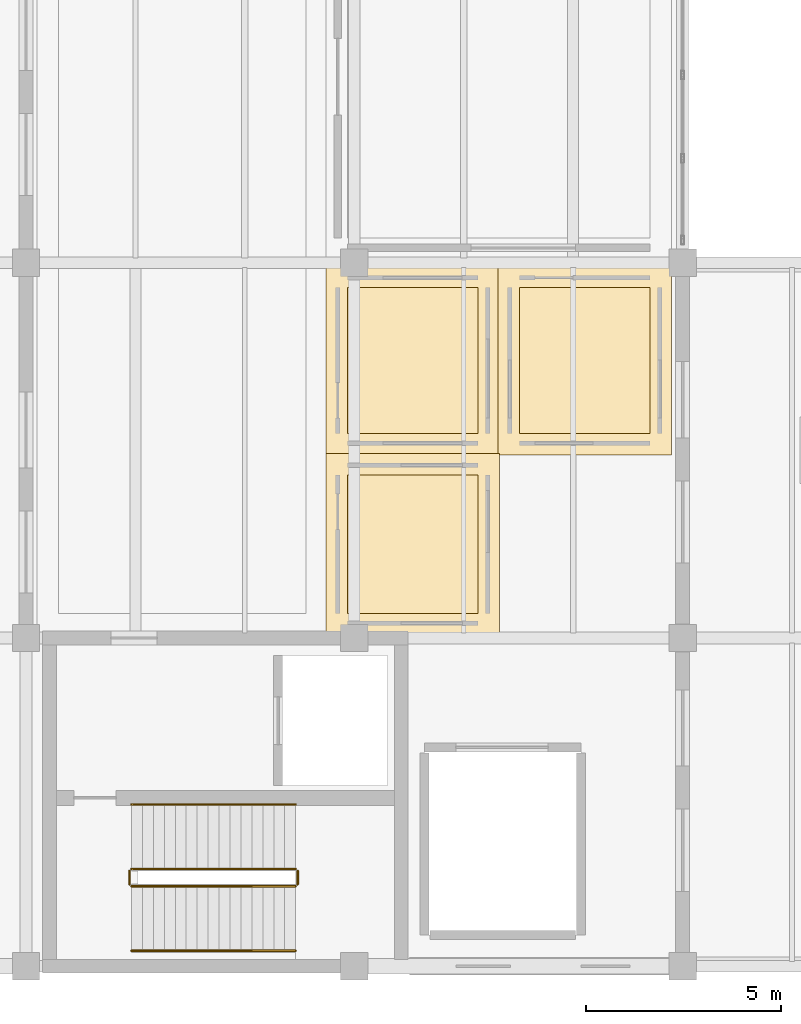
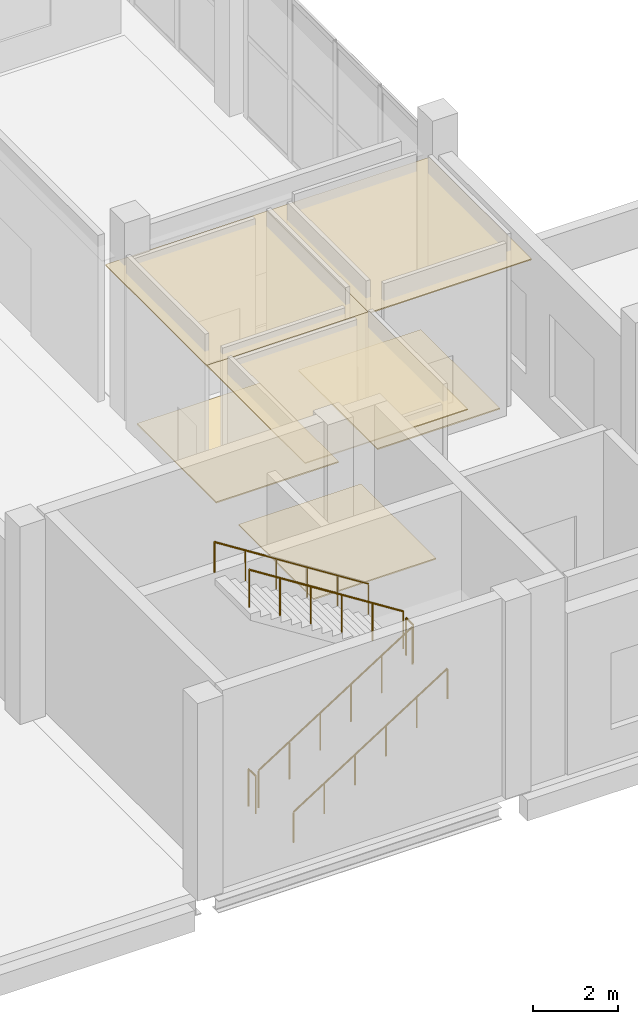
# One storey, part 47 of 49: 6 coverings, 6 railings.
"""IFC4 building model written with IfcOpenShell, lengths in metres."""

from ifc_helpers import new_model, si_unit, direction, frame, origin, origin_2d, place, context, subcontext, project, spatial, polyline, circle, outline, extrude, material, layer, layer_set, type_object, element, save


model = new_model("IFC4")

# Units and contexts
model_context = context("Model", 3, precision=1e-05, world=origin(), true_north=direction((0.0, 1.0)))
body_context = subcontext(model_context, "Body", "Model", "MODEL_VIEW")
ifc_project = project(units=[si_unit("LENGTHUNIT", "METRE"), si_unit("AREAUNIT", "SQUARE_METRE"), si_unit("VOLUMEUNIT", "CUBIC_METRE"), si_unit("PLANEANGLEUNIT", "RADIAN"), si_unit("MASSUNIT", "GRAM", prefix="KILO")], contexts=[model_context])

# Site, building, storey
site_placement = place(None, origin())
site = spatial("IfcSite", under=ifc_project, at=site_placement, CompositionType="ELEMENT")
building_placement = place(site_placement, origin())
building = spatial("IfcBuilding", under=site, at=building_placement, Name="Zulmaris Art Gallery", CompositionType="ELEMENT")
storey_placement = place(building_placement, frame((0.0, 0.0, 20.699951171875)))
storey = spatial("IfcBuildingStorey", under=building, at=storey_placement, Name="L04", CompositionType="ELEMENT", Elevation=20.699951171875)

# Coverings
ifc_material_1 = material(Name="Micro-Perforated Gypsum Acoustic Ceiling", Category="gypsum")
ifc_layer_1 = layer(ifc_material_1, 0.02490234375)
ifc_layer_set_1 = layer_set([ifc_layer_1], Name="Micro-Perforated Gypsum Acoustic Ceiling")
covering_type_1 = type_object("IfcCoveringType", Name="COV-CL01", PredefinedType="CEILING", material=ifc_layer_set_1)
covering_1_placement = place(storey_placement, frame((0.0, 0.0, 4.449951171875)))
element("IfcCovering", 1, at=covering_1_placement, inside=storey, type_object=covering_type_1, Name="Level 04 Male WC & Shower acoustic ceiling", PredefinedType="CEILING", context=body_context, shape_type="SweptSolid", body=[
    extrude(outline(polyline([(149.280029296875, 26.320068359375), (153.719970703125, 26.320068359375), (153.719970703125, 21.679931640625), (149.280029296875, 21.679931640625), (149.280029296875, 26.320068359375)])), origin(), (0.0, 0.0, 1.0), 0.030029296875),
])
covering_2_placement = place(storey_placement, frame((0.0, 0.0, 4.449951171875)))
element("IfcCovering", 2, at=covering_2_placement, inside=storey, type_object=covering_type_1, Name="Level 04 Female WC & Shower acoustic ceiling", PredefinedType="CEILING", context=body_context, shape_type="SweptSolid", body=[
    extrude(outline(polyline([(149.280029296875, 31.1201171875), (153.719970703125, 31.1201171875), (153.719970703125, 26.280029296875), (149.280029296875, 26.280029296875), (149.280029296875, 31.1201171875)])), origin(), (0.0, 0.0, 1.0), 0.030029296875),
])
covering_3_placement = place(storey_placement, frame((0.0, 0.0, 4.449951171875)))
element("IfcCovering", 3, at=covering_3_placement, inside=storey, type_object=covering_type_1, Name="Level 04 Accessible WC acoustic ceiling", PredefinedType="CEILING", context=body_context, shape_type="SweptSolid", body=[
    extrude(outline(polyline([(153.679931640625, 31.1201171875), (158.1201171875, 31.1201171875), (158.1201171875, 26.280029296875), (153.679931640625, 26.280029296875), (153.679931640625, 31.1201171875)])), origin(), (0.0, 0.0, 1.0), 0.030029296875),
])
ifc_material_2 = material(Name="Honed Omani Limestone Terrazzo Flooring", Category="masonry")
ifc_layer_2 = layer(ifc_material_2, 0.0400390625)
ifc_layer_set_2 = layer_set([ifc_layer_2], Name="Honed Omani Limestone Terrazzo Flooring")
covering_type_2 = type_object("IfcCoveringType", Name="COV-FL01", PredefinedType="FLOORING", material=ifc_layer_set_2)
covering_4_placement = place(storey_placement, origin())
element("IfcCovering", 4, at=covering_4_placement, inside=storey, type_object=covering_type_2, Name="Level 04 Male WC & Shower finish flooring", PredefinedType="FLOORING", context=body_context, shape_type="SweptSolid", body=[
    extrude(outline(polyline([(153.169921875, 22.22998046875), (149.830078125, 22.22998046875), (149.830078125, 25.77001953125), (153.169921875, 25.77001953125), (153.169921875, 22.22998046875)])), origin(), (0.0, 0.0, 1.0), 0.03515625),
])
covering_5_placement = place(storey_placement, origin())
element("IfcCovering", 5, at=covering_5_placement, inside=storey, type_object=covering_type_2, Name="Level 04 Female WC & Shower finish flooring", PredefinedType="FLOORING", context=body_context, shape_type="SweptSolid", body=[
    extrude(outline(polyline([(153.169921875, 26.830078125), (149.830078125, 26.830078125), (149.830078125, 30.570068359375), (153.169921875, 30.570068359375), (153.169921875, 26.830078125)])), origin(), (0.0, 0.0, 1.0), 0.03515625),
])
covering_6_placement = place(storey_placement, origin())
element("IfcCovering", 6, at=covering_6_placement, inside=storey, type_object=covering_type_2, Name="Level 04 Accessible WC finish flooring", PredefinedType="FLOORING", context=body_context, shape_type="SweptSolid", body=[
    extrude(outline(polyline([(157.570068359375, 26.830078125), (154.22998046875, 26.830078125), (154.22998046875, 30.570068359375), (157.570068359375, 30.570068359375), (157.570068359375, 26.830078125)])), origin(), (0.0, 0.0, 1.0), 0.03515625),
])

# Railings
ifc_material_3 = material(Name="Steel S355J2", Category="steel")
ifc_layer_3 = layer(ifc_material_3, 0.050048828125)
ifc_layer_set_3 = layer_set([ifc_layer_3], Name="Steel S355J2")
railing_type_1 = type_object("IfcRailingType", Name="RAIL-STGRD", PredefinedType="GUARDRAIL", material=ifc_layer_set_3)
railing_1_placement = place(storey_placement, frame((144.300048828125, 15.25, 0.17822265625)))
element("IfcRailing", 7, at=railing_1_placement, inside=storey, type_object=railing_type_1, Name="L04 ST3 stair guard 1", PredefinedType="GUARDRAIL", context=body_context, shape_type="SweptSolid", body=[
    extrude(circle(Radius=0.02392578125, at=origin_2d()), frame((0.0, 0.0, 1.076171875), z_axis=(0.843736202395, 0.0, 0.536758065396), x_axis=(0.0, 1.0, 0.0)), (0.0, 0.0, 1.0), 4.977783203125),
    extrude(circle(Radius=0.02099609375, at=origin_2d()), origin(), (0.0, 0.0, 1.0), 1.052001953125),
    extrude(circle(Radius=0.02099609375, at=origin_2d()), frame((0.840087890625, 0.0, 0.534423828125)), (0.0, 0.0, 1.0), 1.052001953125),
    extrude(circle(Radius=0.02099609375, at=origin_2d()), frame((1.679931640625, 0.0, 1.06884765625)), (0.0, 0.0, 1.0), 1.052001953125),
    extrude(circle(Radius=0.02099609375, at=origin_2d()), frame((2.52001953125, 0.0, 1.60302734375)), (0.0, 0.0, 1.0), 1.052001953125),
    extrude(circle(Radius=0.02099609375, at=origin_2d()), frame((3.35986328125, 0.0, 2.137451171875)), (0.0, 0.0, 1.0), 1.052001953125),
    extrude(circle(Radius=0.02099609375, at=origin_2d()), frame((4.199951171875, 0.0, 2.671875)), (0.0, 0.0, 1.0), 1.052001953125),
])
railing_2_placement = place(storey_placement, frame((148.550048828125, 15.300048828125, 2.85009765625)))
element("IfcRailing", 8, at=railing_2_placement, inside=storey, type_object=railing_type_1, Name="L04 ST3 stair guard 2", PredefinedType="GUARDRAIL", context=body_context, shape_type="SweptSolid", body=[
    extrude(circle(Radius=0.02392578125, at=origin_2d()), frame((0.0, 0.0, 1.076171875), z_axis=(0.0, 1.0, 0.0), x_axis=(-1.0, 0.0, 0.0)), (0.0, 0.0, 1.0), 0.33984375),
    extrude(circle(Radius=0.02099609375, at=origin_2d()), origin(), (0.0, 0.0, 1.0), 1.052001953125),
    extrude(circle(Radius=0.02099609375, at=origin_2d()), frame((0.0, 0.33984375, 0.0)), (0.0, 0.0, 1.0), 1.052001953125),
])
railing_3_placement = place(storey_placement, frame((148.5, 15.68994140625, 3.028076171875)))
element("IfcRailing", 9, at=railing_3_placement, inside=storey, type_object=railing_type_1, Name="L04 ST3 stair guard 3", PredefinedType="GUARDRAIL", context=body_context, shape_type="SweptSolid", body=[
    extrude(circle(Radius=0.02392578125, at=origin_2d()), frame((0.0, 0.0, 1.076171875), z_axis=(-0.843736202395, 0.0, 0.536758065396), x_axis=(0.0, -1.0, 0.0)), (0.0, 0.0, 1.0), 4.977783203125),
    extrude(circle(Radius=0.02099609375, at=origin_2d()), origin(), (0.0, 0.0, 1.0), 1.052001953125),
    extrude(circle(Radius=0.02099609375, at=origin_2d()), frame((-0.840087890625, 0.0, 0.534423828125)), (0.0, 0.0, 1.0), 1.052001953125),
    extrude(circle(Radius=0.02099609375, at=origin_2d()), frame((-1.679931640625, 0.0, 1.06884765625)), (0.0, 0.0, 1.0), 1.052001953125),
    extrude(circle(Radius=0.02099609375, at=origin_2d()), frame((-2.52001953125, 0.0, 1.60302734375)), (0.0, 0.0, 1.0), 1.052001953125),
    extrude(circle(Radius=0.02099609375, at=origin_2d()), frame((-3.35986328125, 0.0, 2.137451171875)), (0.0, 0.0, 1.0), 1.052001953125),
    extrude(circle(Radius=0.02099609375, at=origin_2d()), frame((-4.199951171875, 0.0, 2.671875)), (0.0, 0.0, 1.0), 1.052001953125),
])
railing_4_placement = place(storey_placement, frame((144.25, 15.300048828125, 0.0)))
element("IfcRailing", 10, at=railing_4_placement, inside=storey, type_object=railing_type_1, Name="L04 ST3 stair guard 4", PredefinedType="GUARDRAIL", context=body_context, shape_type="SweptSolid", body=[
    extrude(circle(Radius=0.02392578125, at=origin_2d()), frame((0.0, 0.0, 1.076171875), z_axis=(0.0, 1.0, 0.0), x_axis=(-1.0, 0.0, 0.0)), (0.0, 0.0, 1.0), 0.33984375),
    extrude(circle(Radius=0.02099609375, at=origin_2d()), origin(), (0.0, 0.0, 1.0), 1.052001953125),
    extrude(circle(Radius=0.02099609375, at=origin_2d()), frame((0.0, 0.33984375, 0.0)), (0.0, 0.0, 1.0), 1.052001953125),
])
ifc_material_4 = material(Name="Brushed Bronze Handrail", Category="steel")
ifc_layer_4 = layer(ifc_material_4, 0.048095703125)
ifc_layer_set_4 = layer_set([ifc_layer_4], Name="Brushed Bronze Handrail")
railing_type_2 = type_object("IfcRailingType", Name="RAIL-STHND", PredefinedType="HANDRAIL", material=ifc_layer_set_4)
railing_5_placement = place(storey_placement, frame((144.300048828125, 13.60009765625, 0.17822265625)))
element("IfcRailing", 11, at=railing_5_placement, inside=storey, type_object=railing_type_2, Name="L04 ST3 stair handrail 1", PredefinedType="HANDRAIL", context=body_context, shape_type="SweptSolid", body=[
    extrude(circle(Radius=0.02392578125, at=origin_2d()), frame((0.0, 0.0, 0.8759765625), z_axis=(0.843736202395, 0.0, 0.536758065396), x_axis=(0.0, 1.0, 0.0)), (0.0, 0.0, 1.0), 4.977783203125),
    extrude(circle(Radius=0.02099609375, at=origin_2d()), origin(), (0.0, 0.0, 1.0), 0.851806640625),
    extrude(circle(Radius=0.02099609375, at=origin_2d()), frame((0.840087890625, 0.0, 0.534423828125)), (0.0, 0.0, 1.0), 0.851806640625),
    extrude(circle(Radius=0.02099609375, at=origin_2d()), frame((1.679931640625, 0.0, 1.06884765625)), (0.0, 0.0, 1.0), 0.851806640625),
    extrude(circle(Radius=0.02099609375, at=origin_2d()), frame((2.52001953125, 0.0, 1.60302734375)), (0.0, 0.0, 1.0), 0.851806640625),
    extrude(circle(Radius=0.02099609375, at=origin_2d()), frame((3.35986328125, 0.0, 2.137451171875)), (0.0, 0.0, 1.0), 0.851806640625),
    extrude(circle(Radius=0.02099609375, at=origin_2d()), frame((4.199951171875, 0.0, 2.671875)), (0.0, 0.0, 1.0), 0.851806640625),
])
railing_6_placement = place(storey_placement, frame((148.5, 17.340087890625, 3.028076171875)))
element("IfcRailing", 12, at=railing_6_placement, inside=storey, type_object=railing_type_2, Name="L04 ST3 stair handrail 2", PredefinedType="HANDRAIL", context=body_context, shape_type="SweptSolid", body=[
    extrude(circle(Radius=0.02392578125, at=origin_2d()), frame((0.0, 0.0, 0.8759765625), z_axis=(-0.843736202395, 0.0, 0.536758065396), x_axis=(0.0, -1.0, 0.0)), (0.0, 0.0, 1.0), 4.977783203125),
    extrude(circle(Radius=0.02099609375, at=origin_2d()), origin(), (0.0, 0.0, 1.0), 0.851806640625),
    extrude(circle(Radius=0.02099609375, at=origin_2d()), frame((-0.840087890625, 0.0, 0.534423828125)), (0.0, 0.0, 1.0), 0.851806640625),
    extrude(circle(Radius=0.02099609375, at=origin_2d()), frame((-1.679931640625, 0.0, 1.06884765625)), (0.0, 0.0, 1.0), 0.851806640625),
    extrude(circle(Radius=0.02099609375, at=origin_2d()), frame((-2.52001953125, 0.0, 1.60302734375)), (0.0, 0.0, 1.0), 0.851806640625),
    extrude(circle(Radius=0.02099609375, at=origin_2d()), frame((-3.35986328125, 0.0, 2.137451171875)), (0.0, 0.0, 1.0), 0.851806640625),
    extrude(circle(Radius=0.02099609375, at=origin_2d()), frame((-4.199951171875, 0.0, 2.671875)), (0.0, 0.0, 1.0), 0.851806640625),
])

save(model, "model.ifc")
